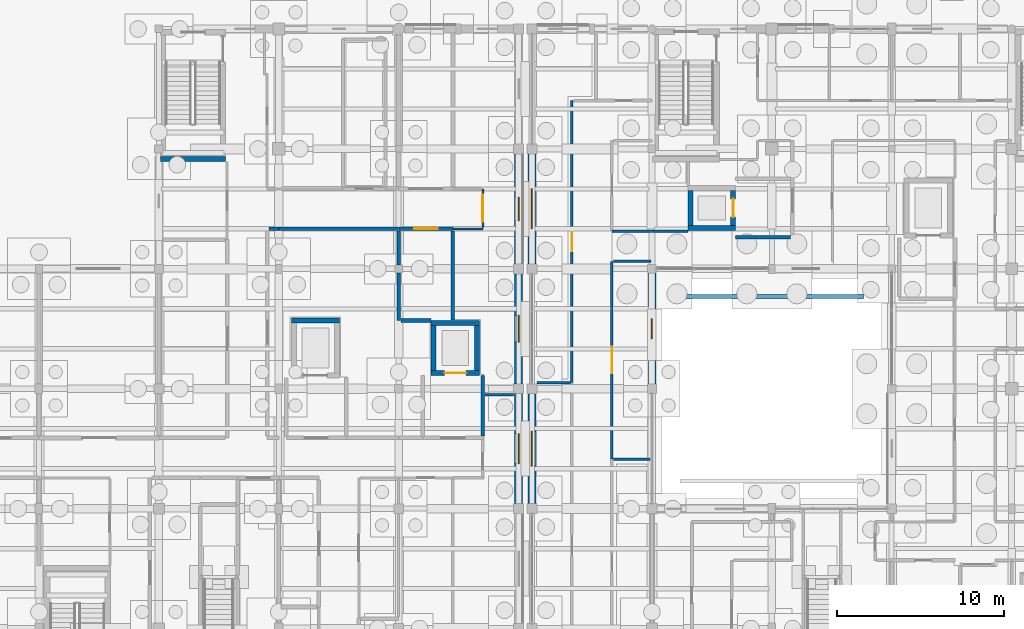
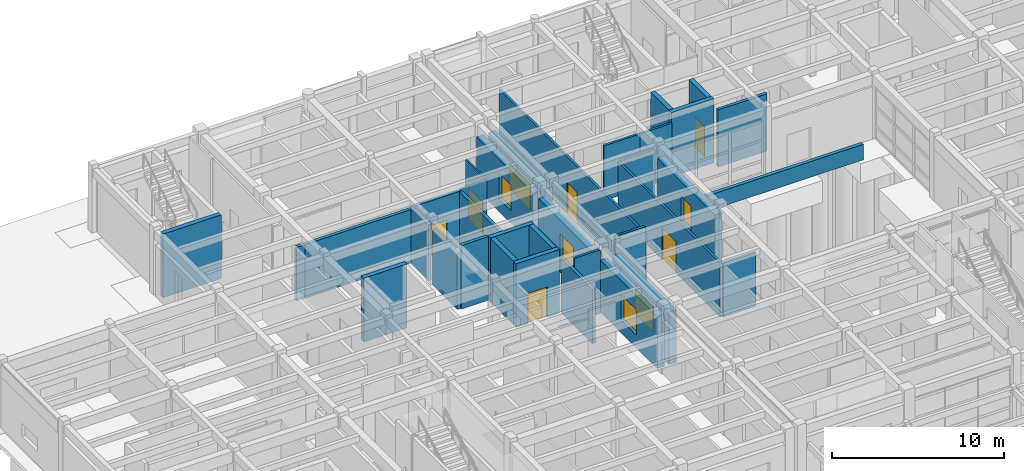
# One storey, part 108 of 143: 35 walls, 6 doors, 6 windows, 12 openings.
"""IFC4 building model written with IfcOpenShell, lengths in metres."""

from ifc_helpers import new_model, si_unit, direction, frame, frame_2d, origin, place, context, subcontext, project, spatial, rectangle, extrude, material, layer, layer_set, type_object, element, fill, save


model = new_model("IFC4")

# Units and contexts
model_context = context("Model", 3, precision=1e-05, world=origin(), true_north=direction((0.0, 1.0)))
body_context = subcontext(model_context, "Body", "Model", "MODEL_VIEW")
ifc_project = project(units=[si_unit("LENGTHUNIT", "METRE"), si_unit("AREAUNIT", "SQUARE_METRE"), si_unit("VOLUMEUNIT", "CUBIC_METRE"), si_unit("PLANEANGLEUNIT", "RADIAN"), si_unit("MASSUNIT", "GRAM", prefix="KILO")], contexts=[model_context])

# Site, building, storey
site_placement = place(None, origin())
site = spatial("IfcSite", under=ifc_project, at=site_placement, CompositionType="ELEMENT")
building_placement = place(site_placement, origin())
building = spatial("IfcBuilding", under=site, at=building_placement, Name="Steenspoor Specialist Clinic", CompositionType="ELEMENT")
storey_placement = place(building_placement, origin())
storey = spatial("IfcBuildingStorey", under=building, at=storey_placement, Name="L00", CompositionType="ELEMENT", Elevation=0.0)

# Wall, opening, window
ifc_material_1 = material(Name="Volcanic basalt ashlar masonry", Category="masonry")
ifc_layer_1 = layer(ifc_material_1, 0.47998046875)
ifc_layer_set_1 = layer_set([ifc_layer_1], Name="Volcanic basalt ashlar masonry")
wall_type_1 = type_object("IfcWallType", Name="W-BASALT-480", PredefinedType="SOLIDWALL", material=ifc_layer_set_1)
wall_1_placement = place(storey_placement, frame((52.39990234375, 79.85009765625, 0.0), z_axis=(0.0, 0.0, 1.0), x_axis=(0.0, 1.0, 0.0)))
wall_1 = element("IfcWall", 1, at=wall_1_placement, inside=storey, type_object=wall_type_1, Name="Exterior Brick Wall EW-V4-L00-0085", PredefinedType="SOLIDWALL", context=body_context, shape_type="SweptSolid", body=[
    extrude(rectangle(XDim=6.599853515625, YDim=0.47998046875, at=frame_2d((3.2998046875, 0.0))), origin(), (0.0, 0.0, 1.0), 3.72998046875),
])
opening_1_placement = place(wall_1_placement, frame((2.25, 0.0, 0.89990234375)))
opening_1 = element("IfcOpeningElement", 2, at=opening_1_placement, cuts=wall_1, Name="Opening WN-09", PredefinedType="OPENING", context=body_context, shape_type="SweptSolid", body=[
    extrude(rectangle(XDim=2.10009765625, YDim=1.800048828125, at=frame_2d((1.050048828125, 0.89990234375))), frame((0.0, 0.25, 0.0), z_axis=(0.0, -1.0, 0.0), x_axis=(1.0, 0.0, 0.0)), (0.0, 0.0, 1.0), 0.5),
])
ifc_material_2 = material(Name="Thermally broken aluminium and low-emissivity glass", Category="aluminium")
window_type_1 = type_object("IfcWindowType", Name="WN-EXT-210X180", PartitioningType="SINGLE_PANEL", PredefinedType="WINDOW", material=ifc_material_2)
window_1_placement = place(opening_1_placement, origin())
window_1 = element("IfcWindow", 3, at=window_1_placement, inside=storey, type_object=window_type_1, Name="Window 0105", OverallHeight=1.800048828125, OverallWidth=2.10009765625, PartitioningType="SINGLE_PANEL", PredefinedType="WINDOW", context=body_context, shape_type="SweptSolid", body=[
    extrude(rectangle(XDim=2.10009765625, YDim=1.800048828125, at=frame_2d((1.050048828125, 0.89990234375))), frame((0.0, 0.030029296875, 0.0), z_axis=(0.0, -1.0, 0.0), x_axis=(1.0, 0.0, 0.0)), (0.0, 0.0, 1.0), 0.06005859375),
])
fill(opening_1, window_1)

wall_2_placement = place(storey_placement, frame((52.39990234375, 94.25, 0.0), z_axis=(0.0, 0.0, 1.0), x_axis=(0.0, 1.0, 0.0)))
wall_2 = element("IfcWall", 4, at=wall_2_placement, inside=storey, type_object=wall_type_1, Name="Exterior Brick Wall EW-V4-L00-0086", PredefinedType="SOLIDWALL", context=body_context, shape_type="SweptSolid", body=[
    extrude(rectangle(XDim=6.60009765625, YDim=0.47998046875, at=frame_2d((3.300048828125, 0.0))), origin(), (0.0, 0.0, 1.0), 3.72998046875),
])
opening_2_placement = place(wall_2_placement, frame((2.10009765625, 0.0, 0.89990234375)))
opening_2 = element("IfcOpeningElement", 5, at=opening_2_placement, cuts=wall_2, Name="Opening WN-10", PredefinedType="OPENING", context=body_context, shape_type="SweptSolid", body=[
    extrude(rectangle(XDim=2.39990234375, YDim=1.800048828125, at=frame_2d((1.199951171875, 0.89990234375))), frame((0.0, 0.25, 0.0), z_axis=(0.0, -1.0, 0.0), x_axis=(1.0, 0.0, 0.0)), (0.0, 0.0, 1.0), 0.5),
])
window_type_2 = type_object("IfcWindowType", Name="WN-EXT-240X180", PartitioningType="SINGLE_PANEL", PredefinedType="WINDOW", material=ifc_material_2)
window_2_placement = place(opening_2_placement, origin())
window_2 = element("IfcWindow", 6, at=window_2_placement, inside=storey, type_object=window_type_2, Name="Window 0106", OverallHeight=1.800048828125, OverallWidth=2.39990234375, PartitioningType="SINGLE_PANEL", PredefinedType="WINDOW", context=body_context, shape_type="SweptSolid", body=[
    extrude(rectangle(XDim=2.39990234375, YDim=1.800048828125, at=frame_2d((1.199951171875, 0.89990234375))), frame((0.0, 0.030029296875, 0.0), z_axis=(0.0, -1.0, 0.0), x_axis=(1.0, 0.0, 0.0)), (0.0, 0.0, 1.0), 0.06005859375),
])
fill(opening_2, window_2)

wall_3_placement = place(storey_placement, frame((59.60009765625, 93.699951171875, 0.0), z_axis=(0.0, 0.0, 1.0), x_axis=(0.0, -1.0, 0.0)))
wall_3 = element("IfcWall", 7, at=wall_3_placement, inside=storey, type_object=wall_type_1, Name="Exterior Brick Wall EW-V4-L00-0104", PredefinedType="SOLIDWALL", context=body_context, shape_type="SweptSolid", body=[
    extrude(rectangle(XDim=6.675048828125, YDim=0.47998046875, at=frame_2d((3.33740234375, 0.0))), origin(), (0.0, 0.0, 1.0), 3.72998046875),
])
opening_3_placement = place(wall_3_placement, frame((2.737548828125, 0.0, 0.89990234375)))
opening_3 = element("IfcOpeningElement", 8, at=opening_3_placement, cuts=wall_3, Name="Opening WN-05", PredefinedType="OPENING", context=body_context, shape_type="SweptSolid", body=[
    extrude(rectangle(XDim=1.199951171875, YDim=1.800048828125, at=frame_2d((0.60009765625, 0.89990234375))), frame((0.0, 0.25, 0.0), z_axis=(0.0, -1.0, 0.0), x_axis=(1.0, 0.0, 0.0)), (0.0, 0.0, 1.0), 0.5),
])
window_type_3 = type_object("IfcWindowType", Name="WN-EXT-120X180", PartitioningType="SINGLE_PANEL", PredefinedType="WINDOW", material=ifc_material_2)
window_3_placement = place(opening_3_placement, origin())
window_3 = element("IfcWindow", 9, at=window_3_placement, inside=storey, type_object=window_type_3, Name="Window 0125", OverallHeight=1.800048828125, OverallWidth=1.199951171875, PartitioningType="SINGLE_PANEL", PredefinedType="WINDOW", context=body_context, shape_type="SweptSolid", body=[
    extrude(rectangle(XDim=1.199951171875, YDim=1.800048828125, at=frame_2d((0.60009765625, 0.89990234375))), frame((0.0, 0.030029296875, 0.0), z_axis=(0.0, -1.0, 0.0), x_axis=(1.0, 0.0, 0.0)), (0.0, 0.0, 1.0), 0.06005859375),
])
fill(opening_3, window_3)

wall_4_placement = place(storey_placement, frame((51.60009765625, 100.85009765625, 0.0), z_axis=(0.0, 0.0, 1.0), x_axis=(0.0, -1.0, 0.0)))
wall_4 = element("IfcWall", 10, at=wall_4_placement, inside=storey, type_object=wall_type_1, Name="Exterior Brick Wall EW-V5-L00-0249", PredefinedType="SOLIDWALL", context=body_context, shape_type="SweptSolid", body=[
    extrude(rectangle(XDim=6.60009765625, YDim=0.47998046875, at=frame_2d((3.300048828125, 0.0))), origin(), (0.0, 0.0, 1.0), 3.699951171875),
])
opening_4_placement = place(wall_4_placement, frame((2.60009765625, 0.0, 0.89990234375)))
opening_4 = element("IfcOpeningElement", 11, at=opening_4_placement, cuts=wall_4, Name="Opening WN-06", PredefinedType="OPENING", context=body_context, shape_type="SweptSolid", body=[
    extrude(rectangle(XDim=1.39990234375, YDim=1.800048828125, at=frame_2d((0.699951171875, 0.89990234375))), frame((0.0, 0.25, 0.0), z_axis=(0.0, -1.0, 0.0), x_axis=(1.0, 0.0, 0.0)), (0.0, 0.0, 1.0), 0.5),
])
window_type_4 = type_object("IfcWindowType", Name="WN-EXT-140X180", PartitioningType="SINGLE_PANEL", PredefinedType="WINDOW", material=ifc_material_2)
window_4_placement = place(opening_4_placement, origin())
window_4 = element("IfcWindow", 12, at=window_4_placement, inside=storey, type_object=window_type_4, Name="Window 0270", OverallHeight=1.800048828125, OverallWidth=1.39990234375, PartitioningType="SINGLE_PANEL", PredefinedType="WINDOW", context=body_context, shape_type="SweptSolid", body=[
    extrude(rectangle(XDim=1.39990234375, YDim=1.800048828125, at=frame_2d((0.699951171875, 0.89990234375))), frame((0.0, 0.030029296875, 0.0), z_axis=(0.0, -1.0, 0.0), x_axis=(1.0, 0.0, 0.0)), (0.0, 0.0, 1.0), 0.06005859375),
])
fill(opening_4, window_4)

wall_5_placement = place(storey_placement, frame((51.60009765625, 93.64990234375, 0.0), z_axis=(0.0, 0.0, 1.0), x_axis=(0.0, -1.0, 0.0)))
wall_5 = element("IfcWall", 13, at=wall_5_placement, inside=storey, type_object=wall_type_1, Name="Exterior Brick Wall EW-V5-L00-0250", PredefinedType="SOLIDWALL", context=body_context, shape_type="SweptSolid", body=[
    extrude(rectangle(XDim=6.599853515625, YDim=0.47998046875, at=frame_2d((3.2998046875, 0.0))), origin(), (0.0, 0.0, 1.0), 3.699951171875),
])
opening_5_placement = place(wall_5_placement, frame((2.5, 0.0, 0.89990234375)))
opening_5 = element("IfcOpeningElement", 14, at=opening_5_placement, cuts=wall_5, Name="Opening WN-07", PredefinedType="OPENING", context=body_context, shape_type="SweptSolid", body=[
    extrude(rectangle(XDim=1.60009765625, YDim=1.800048828125, at=frame_2d((0.800048828125, 0.89990234375))), frame((0.0, 0.25, 0.0), z_axis=(0.0, -1.0, 0.0), x_axis=(1.0, 0.0, 0.0)), (0.0, 0.0, 1.0), 0.5),
])
window_type_5 = type_object("IfcWindowType", Name="WN-EXT-160X180", PartitioningType="SINGLE_PANEL", PredefinedType="WINDOW", material=ifc_material_2)
window_5_placement = place(opening_5_placement, origin())
window_5 = element("IfcWindow", 15, at=window_5_placement, inside=storey, type_object=window_type_5, Name="Window 0271", OverallHeight=1.800048828125, OverallWidth=1.60009765625, PartitioningType="SINGLE_PANEL", PredefinedType="WINDOW", context=body_context, shape_type="SweptSolid", body=[
    extrude(rectangle(XDim=1.60009765625, YDim=1.800048828125, at=frame_2d((0.800048828125, 0.89990234375))), frame((0.0, 0.030029296875, 0.0), z_axis=(0.0, -1.0, 0.0), x_axis=(1.0, 0.0, 0.0)), (0.0, 0.0, 1.0), 0.06005859375),
])
fill(opening_5, window_5)

wall_6_placement = place(storey_placement, frame((51.60009765625, 86.449951171875, 0.0), z_axis=(0.0, 0.0, 1.0), x_axis=(0.0, -1.0, 0.0)))
wall_6 = element("IfcWall", 16, at=wall_6_placement, inside=storey, type_object=wall_type_1, Name="Exterior Brick Wall EW-V5-L00-0251", PredefinedType="SOLIDWALL", context=body_context, shape_type="SweptSolid", body=[
    extrude(rectangle(XDim=6.599853515625, YDim=0.47998046875, at=frame_2d((3.2998046875, 0.0))), origin(), (0.0, 0.0, 1.0), 3.699951171875),
])
opening_6_placement = place(wall_6_placement, frame((2.39990234375, 0.0, 0.89990234375)))
opening_6 = element("IfcOpeningElement", 17, at=opening_6_placement, cuts=wall_6, Name="Opening WN-08", PredefinedType="OPENING", context=body_context, shape_type="SweptSolid", body=[
    extrude(rectangle(XDim=1.800048828125, YDim=1.800048828125, at=frame_2d((0.89990234375, 0.89990234375))), frame((0.0, 0.25, 0.0), z_axis=(0.0, -1.0, 0.0), x_axis=(1.0, 0.0, 0.0)), (0.0, 0.0, 1.0), 0.5),
])
window_type_6 = type_object("IfcWindowType", Name="WN-EXT-180X180", PartitioningType="SINGLE_PANEL", PredefinedType="WINDOW", material=ifc_material_2)
window_6_placement = place(opening_6_placement, origin())
window_6 = element("IfcWindow", 18, at=window_6_placement, inside=storey, type_object=window_type_6, Name="Window 0272", OverallHeight=1.800048828125, OverallWidth=1.800048828125, PartitioningType="SINGLE_PANEL", PredefinedType="WINDOW", context=body_context, shape_type="SweptSolid", body=[
    extrude(rectangle(XDim=1.800048828125, YDim=1.800048828125, at=frame_2d((0.89990234375, 0.89990234375))), frame((0.0, 0.030029296875, 0.0), z_axis=(0.0, -1.0, 0.0), x_axis=(1.0, 0.0, 0.0)), (0.0, 0.0, 1.0), 0.06005859375),
])
fill(opening_6, window_6)

# Wall, opening, door
ifc_material_3 = material(Name="Gypsum acoustic clinical partition", Category="gypsum")
ifc_layer_2 = layer(ifc_material_3, 0.14990234375)
ifc_layer_set_2 = layer_set([ifc_layer_2], Name="Gypsum acoustic clinical partition")
wall_type_2 = type_object("IfcWallType", Name="W-CLIN-150", PredefinedType="PARTITIONING", material=ifc_layer_set_2)
wall_7_placement = place(storey_placement, frame((57.199951171875, 82.5400390625, 0.0), z_axis=(0.0, 0.0, 1.0), x_axis=(0.0, 1.0, 0.0)))
wall_7 = element("IfcWall", 19, at=wall_7_placement, inside=storey, type_object=wall_type_2, Name="Interior Partition IW-V4-L00-0246", PredefinedType="PARTITIONING", context=body_context, shape_type="SweptSolid", body=[
    extrude(rectangle(XDim=11.85986328125, YDim=0.14990234375, at=frame_2d((5.929931640625, 0.0))), origin(), (0.0, 0.0, 1.0), 3.8349609375),
])
opening_7_placement = place(wall_7_placement, frame((5.1298828125, 0.0, 0.0)))
opening_7 = element("IfcOpeningElement", 20, at=opening_7_placement, cuts=wall_7, Name="Opening D0169", PredefinedType="OPENING", context=body_context, shape_type="SweptSolid", body=[
    extrude(rectangle(XDim=1.60009765625, YDim=2.25, at=frame_2d((0.800048828125, 1.125))), frame((0.0, 0.0849609375, 0.0), z_axis=(0.0, -1.0, 0.0), x_axis=(1.0, 0.0, 0.0)), (0.0, 0.0, 1.0), 0.169921875),
])
ifc_material_4 = material(Name="Hygienic HPL clinical timber door", Category="wood")
door_type_1 = type_object("IfcDoorType", Name="DT-PROC-160X225", OperationType="NOTDEFINED", PredefinedType="DOOR", material=ifc_material_4)
door_1_placement = place(opening_7_placement, origin())
door_1 = element("IfcDoor", 21, at=door_1_placement, inside=storey, type_object=door_type_1, Name="Clinical Door D0169", OperationType="SINGLE_SWING_RIGHT", OverallHeight=2.25, OverallWidth=1.60009765625, PredefinedType="DOOR", context=body_context, shape_type="SweptSolid", body=[
    extrude(rectangle(XDim=1.60009765625, YDim=2.25, at=frame_2d((0.800048828125, 1.125))), frame((0.0, 0.02490234375, 0.0), z_axis=(0.0, -1.0, 0.0), x_axis=(1.0, 0.0, 0.0)), (0.0, 0.0, 1.0), 0.050048828125),
])
fill(opening_7, door_1)

# Wall
wall_8_placement = place(storey_placement, frame((57.2900390625, 94.39990234375, 0.0), z_axis=(0.0, 0.0, 1.0), x_axis=(1.0, 0.0, 0.0)))
element("IfcWall", 22, at=wall_8_placement, inside=storey, type_object=wall_type_2, Name="Interior Partition IW-V4-L00-0247", PredefinedType="PARTITIONING", context=body_context, shape_type="SweptSolid", body=[
    extrude(rectangle(XDim=2.27001953125, YDim=0.14990234375, at=frame_2d((1.135009765625, 0.0))), origin(), (0.0, 0.0, 1.0), 3.885009765625),
])

# Wall, opening, door
wall_9_placement = place(storey_placement, frame((54.800048828125, 87.114990234375, 0.0), z_axis=(0.0, 0.0, 1.0), x_axis=(0.0, 1.0, 0.0)))
wall_9 = element("IfcWall", 23, at=wall_9_placement, inside=storey, type_object=wall_type_2, Name="Interior Partition IW-V4-L00-0248", PredefinedType="PARTITIONING", context=body_context, shape_type="SweptSolid", body=[
    extrude(rectangle(XDim=16.93505859375, YDim=0.14990234375, at=frame_2d((8.467529296875, 0.0))), origin(), (0.0, 0.0, 1.0), 3.955078125),
])
opening_8_placement = place(wall_9_placement, frame((7.892578125, 0.0, 0.0)))
opening_8 = element("IfcOpeningElement", 24, at=opening_8_placement, cuts=wall_9, Name="Opening D0171", PredefinedType="OPENING", context=body_context, shape_type="SweptSolid", body=[
    extrude(rectangle(XDim=1.14990234375, YDim=2.14990234375, at=frame_2d((0.574951171875, 1.074951171875))), frame((0.0, 0.0849609375, 0.0), z_axis=(0.0, -1.0, 0.0), x_axis=(1.0, 0.0, 0.0)), (0.0, 0.0, 1.0), 0.169921875),
])
ifc_material_5 = material(Name="Solid-core hardwood clinical door", Category="wood")
door_type_2 = type_object("IfcDoorType", Name="DT-CONS-115X215", OperationType="NOTDEFINED", PredefinedType="DOOR", material=ifc_material_5)
door_2_placement = place(opening_8_placement, origin())
door_2 = element("IfcDoor", 25, at=door_2_placement, inside=storey, type_object=door_type_2, Name="Clinical Door D0171", OperationType="SINGLE_SWING_RIGHT", OverallHeight=2.14990234375, OverallWidth=1.14990234375, PredefinedType="DOOR", context=body_context, shape_type="SweptSolid", body=[
    extrude(rectangle(XDim=1.14990234375, YDim=2.14990234375, at=frame_2d((0.574951171875, 1.074951171875))), frame((0.0, 0.02490234375, 0.0), z_axis=(0.0, -1.0, 0.0), x_axis=(1.0, 0.0, 0.0)), (0.0, 0.0, 1.0), 0.050048828125),
])
fill(opening_8, door_2)

# Walls
wall_10_placement = place(storey_placement, frame((59.60009765625, 96.199951171875, 0.0), z_axis=(0.0, 0.0, 1.0), x_axis=(1.0, 0.0, 0.0)))
element("IfcWall", 26, at=wall_10_placement, inside=storey, type_object=wall_type_2, Name="Interior Partition IW-V4-L00-0263", PredefinedType="PARTITIONING", context=body_context, shape_type="SweptSolid", body=[
    extrude(rectangle(XDim=2.159912109375, YDim=0.14990234375, at=frame_2d((1.080078125, 0.0))), origin(), (0.0, 0.0, 1.0), 3.885009765625),
])
wall_11_placement = place(storey_placement, frame((57.199951171875, 96.199951171875, 0.0), z_axis=(0.0, 0.0, 1.0), x_axis=(1.0, 0.0, 0.0)))
element("IfcWall", 27, at=wall_11_placement, inside=storey, type_object=wall_type_2, Name="Interior Partition IW-V4-L00-0264", PredefinedType="PARTITIONING", context=body_context, shape_type="SweptSolid", body=[
    extrude(rectangle(XDim=2.385009765625, YDim=0.14990234375, at=frame_2d((1.1923828125, 0.0))), origin(), (0.0, 0.0, 1.0), 3.885009765625),
])
wall_12_placement = place(storey_placement, frame((52.715087890625, 87.10009765625, 0.0), z_axis=(0.0, 0.0, 1.0), x_axis=(1.0, 0.0, 0.0)))
element("IfcWall", 28, at=wall_12_placement, inside=storey, type_object=wall_type_2, Name="Interior Partition IW-V4-L00-0598", PredefinedType="PARTITIONING", context=body_context, shape_type="SweptSolid", body=[
    extrude(rectangle(XDim=1.994873046875, YDim=0.14990234375, at=frame_2d((0.99755859375, 0.0))), origin(), (0.0, 0.0, 1.0), 4.550048828125),
])
wall_13_placement = place(storey_placement, frame((57.2900390625, 82.52490234375, 0.0), z_axis=(0.0, 0.0, 1.0), x_axis=(1.0, 0.0, 0.0)))
element("IfcWall", 29, at=wall_13_placement, inside=storey, type_object=wall_type_2, Name="Interior Partition IW-V4-L00-0617", PredefinedType="PARTITIONING", context=body_context, shape_type="SweptSolid", body=[
    extrude(rectangle(XDim=2.205078125, YDim=0.14990234375, at=frame_2d((1.1025390625, 0.0))), origin(), (0.0, 0.0, 1.0), 3.81494140625),
])
wall_14_placement = place(storey_placement, frame((49.56494140625, 86.39990234375, 0.0), z_axis=(0.0, 0.0, 1.0), x_axis=(1.0, 0.0, 0.0)))
element("IfcWall", 30, at=wall_14_placement, inside=storey, type_object=wall_type_2, Name="Interior Partition IW-V5-L00-0633", PredefinedType="PARTITIONING", context=body_context, shape_type="SweptSolid", body=[
    extrude(rectangle(XDim=1.719970703125, YDim=0.14990234375, at=frame_2d((0.85986328125, 0.0))), origin(), (0.0, 0.0, 1.0), 4.52001953125),
])
ifc_material_6 = material(Name="Fire-rated clay blockwork masonry", Category="masonry")
ifc_layer_3 = layer(ifc_material_6, 0.219970703125)
ifc_layer_set_3 = layer_set([ifc_layer_3], Name="Fire-rated clay blockwork masonry")
wall_type_3 = type_object("IfcWallType", Name="W-FIRE-220", PredefinedType="PARTITIONING", material=ifc_layer_set_3)
wall_15_placement = place(storey_placement, frame((36.625, 96.35009765625, 0.0), z_axis=(0.0, 0.0, 1.0), x_axis=(1.0, 0.0, 0.0)))
element("IfcWall", 31, at=wall_15_placement, inside=storey, type_object=wall_type_3, Name="Interior Partition IW-V5-L00-0087", PredefinedType="PARTITIONING", context=body_context, shape_type="SweptSolid", body=[
    extrude(rectangle(XDim=0.574951171875, YDim=0.219970703125, at=frame_2d((0.28759765625, 0.0))), origin(), (0.0, 0.0, 1.0), 3.804931640625),
])
wall_16_placement = place(storey_placement, frame((37.215087890625, 96.35009765625, 0.0), z_axis=(0.0, 0.0, 1.0), x_axis=(1.0, 0.0, 0.0)))
element("IfcWall", 32, at=wall_16_placement, inside=storey, type_object=wall_type_3, Name="Interior Partition IW-V5-L00-0088", PredefinedType="PARTITIONING", context=body_context, shape_type="SweptSolid", body=[
    extrude(rectangle(XDim=7.184814453125, YDim=0.219970703125, at=frame_2d((3.59228515625, 0.0))), origin(), (0.0, 0.0, 1.0), 3.804931640625),
])

# Wall, opening, door
wall_17_placement = place(storey_placement, frame((44.4150390625, 96.35009765625, 0.0), z_axis=(0.0, 0.0, 1.0), x_axis=(1.0, 0.0, 0.0)))
wall_17 = element("IfcWall", 33, at=wall_17_placement, inside=storey, type_object=wall_type_3, Name="Interior Partition IW-V5-L00-0090", PredefinedType="PARTITIONING", context=body_context, shape_type="SweptSolid", body=[
    extrude(rectangle(XDim=3.23486328125, YDim=0.219970703125, at=frame_2d((1.617431640625, 0.0))), origin(), (0.0, 0.0, 1.0), 3.955078125),
])
opening_9_placement = place(wall_17_placement, frame((0.91748046875, 0.0, 0.0)))
opening_9 = element("IfcOpeningElement", 34, at=opening_9_placement, cuts=wall_17, Name="Opening D0338", PredefinedType="OPENING", context=body_context, shape_type="SweptSolid", body=[
    extrude(rectangle(XDim=1.39990234375, YDim=2.199951171875, at=frame_2d((0.699951171875, 1.10009765625))), frame((0.0, 0.1201171875, 0.0), z_axis=(0.0, -1.0, 0.0), x_axis=(1.0, 0.0, 0.0)), (0.0, 0.0, 1.0), 0.239990234375),
])
ifc_material_7 = material(Name="Fire-rated clinical laminate door", Category="steel")
door_type_3 = type_object("IfcDoorType", Name="DT-LAB-140X220", OperationType="NOTDEFINED", PredefinedType="DOOR", material=ifc_material_7)
door_3_placement = place(opening_9_placement, origin())
door_3 = element("IfcDoor", 35, at=door_3_placement, inside=storey, type_object=door_type_3, Name="Clinical Door D0338", OperationType="SINGLE_SWING_LEFT", OverallHeight=2.199951171875, OverallWidth=1.39990234375, PredefinedType="DOOR", context=body_context, shape_type="SweptSolid", body=[
    extrude(rectangle(XDim=1.39990234375, YDim=2.199951171875, at=frame_2d((0.699951171875, 1.10009765625))), frame((0.0, 0.02490234375, 0.0), z_axis=(0.0, -1.0, 0.0), x_axis=(1.0, 0.0, 0.0)), (0.0, 0.0, 1.0), 0.050048828125),
])
fill(opening_9, door_3)

# Walls
wall_18_placement = place(storey_placement, frame((44.39990234375, 90.85009765625, 0.0), z_axis=(0.0, 0.0, 1.0), x_axis=(0.0, 1.0, 0.0)))
element("IfcWall", 36, at=wall_18_placement, inside=storey, type_object=wall_type_3, Name="Interior Partition IW-V5-L00-0454", PredefinedType="PARTITIONING", context=body_context, shape_type="SweptSolid", body=[
    extrude(rectangle(XDim=2.85986328125, YDim=0.219970703125, at=frame_2d((1.429931640625, 0.0))), origin(), (0.0, 0.0, 1.0), 3.925048828125),
])
wall_19_placement = place(storey_placement, frame((44.39990234375, 94.18994140625, 0.0), z_axis=(0.0, 0.0, 1.0), x_axis=(0.0, 1.0, 0.0)))
element("IfcWall", 37, at=wall_19_placement, inside=storey, type_object=wall_type_3, Name="Interior Partition IW-V5-L00-0455", PredefinedType="PARTITIONING", context=body_context, shape_type="SweptSolid", body=[
    extrude(rectangle(XDim=2.03515625, YDim=0.219970703125, at=frame_2d((1.017578125, 0.0))), origin(), (0.0, 0.0, 1.0), 3.955078125),
])
wall_20_placement = place(storey_placement, frame((44.52490234375, 90.85009765625, 0.0), z_axis=(0.0, 0.0, 1.0), x_axis=(1.0, 0.0, 0.0)))
element("IfcWall", 38, at=wall_20_placement, inside=storey, type_object=wall_type_3, Name="Interior Partition IW-V5-L00-0456", PredefinedType="PARTITIONING", context=body_context, shape_type="SweptSolid", body=[
    extrude(rectangle(XDim=1.81005859375, YDim=0.219970703125, at=frame_2d((0.905029296875, 0.0))), origin(), (0.0, 0.0, 1.0), 4.52001953125),
])
wall_21_placement = place(storey_placement, frame((47.64990234375, 90.864990234375, 0.0), z_axis=(0.0, 0.0, 1.0), x_axis=(0.0, 1.0, 0.0)))
element("IfcWall", 39, at=wall_21_placement, inside=storey, type_object=wall_type_3, Name="Interior Partition IW-V5-L00-0457", PredefinedType="PARTITIONING", context=body_context, shape_type="SweptSolid", body=[
    extrude(rectangle(XDim=5.360107421875, YDim=0.219970703125, at=frame_2d((2.68017578125, 0.0))), origin(), (0.0, 0.0, 1.0), 3.955078125),
])
ifc_material_8 = material(Name="Extruded clay brick masonry", Category="masonry")
ifc_layer_4 = layer(ifc_material_8, 0.239990234375)
ifc_layer_set_4 = layer_set([ifc_layer_4], Name="Extruded clay brick masonry")
wall_type_4 = type_object("IfcWallType", Name="W-PARAPET-240", PredefinedType="PARAPET", material=ifc_layer_set_4)
wall_22_placement = place(storey_placement, frame((61.300048828125, 92.300048828125, 0.0), z_axis=(0.0, 0.0, 1.0), x_axis=(1.0, 0.0, 0.0)))
element("IfcWall", 40, at=wall_22_placement, inside=storey, type_object=wall_type_4, Name="Courtyard Planter Parapet PW-GARDEN-02", PredefinedType="PARAPET", context=body_context, shape_type="SweptSolid", body=[
    extrude(rectangle(XDim=11.0, YDim=0.239990234375, at=frame_2d((5.5, 0.0))), origin(), (0.0, 0.0, 1.0), 1.10009765625),
])
ifc_material_9 = material(Name="Gypsum studio partition board", Category="gypsum")
ifc_layer_5 = layer(ifc_material_9, 0.1201171875)
ifc_layer_set_5 = layer_set([ifc_layer_5], Name="Gypsum studio partition board")
wall_type_5 = type_object("IfcWallType", Name="W-PART-120", PredefinedType="PARTITIONING", material=ifc_layer_set_5)
wall_23_placement = place(storey_placement, frame((47.6650390625, 96.35009765625, 0.0), z_axis=(0.0, 0.0, 1.0), x_axis=(1.0, 0.0, 0.0)))
element("IfcWall", 41, at=wall_23_placement, inside=storey, type_object=wall_type_5, Name="Interior Partition IW-V5-L00-0370", PredefinedType="PARTITIONING", context=body_context, shape_type="SweptSolid", body=[
    extrude(rectangle(XDim=1.784912109375, YDim=0.1201171875, at=frame_2d((0.892578125, 0.0))), origin(), (0.0, 0.0, 1.0), 4.044921875),
])

# Wall, opening, door
wall_24_placement = place(storey_placement, frame((49.449951171875, 96.425048828125, 0.0), z_axis=(0.0, 0.0, 1.0), x_axis=(0.0, 1.0, 0.0)))
wall_24 = element("IfcWall", 42, at=wall_24_placement, inside=storey, type_object=wall_type_5, Name="Interior Partition IW-V5-L00-0371", PredefinedType="PARTITIONING", context=body_context, shape_type="SweptSolid", body=[
    extrude(rectangle(XDim=2.324951171875, YDim=0.1201171875, at=frame_2d((1.16259765625, 0.0))), origin(), (0.0, 0.0, 1.0), 4.0849609375),
])
opening_10_placement = place(wall_24_placement, frame((0.362548828125, 0.0, 0.0)))
opening_10 = element("IfcOpeningElement", 43, at=opening_10_placement, cuts=wall_24, Name="Opening D0337", PredefinedType="OPENING", context=body_context, shape_type="SweptSolid", body=[
    extrude(rectangle(XDim=1.60009765625, YDim=2.25, at=frame_2d((0.800048828125, 1.125))), frame((0.0, 0.070068359375, 0.0), z_axis=(0.0, -1.0, 0.0), x_axis=(1.0, 0.0, 0.0)), (0.0, 0.0, 1.0), 0.14013671875),
])
door_4_placement = place(opening_10_placement, origin())
door_4 = element("IfcDoor", 44, at=door_4_placement, inside=storey, type_object=door_type_1, Name="Clinical Door D0337", OperationType="SINGLE_SWING_RIGHT", OverallHeight=2.25, OverallWidth=1.60009765625, PredefinedType="DOOR", context=body_context, shape_type="SweptSolid", body=[
    extrude(rectangle(XDim=1.60009765625, YDim=2.25, at=frame_2d((0.800048828125, 1.125))), frame((0.0, 0.02490234375, 0.0), z_axis=(0.0, -1.0, 0.0), x_axis=(1.0, 0.0, 0.0)), (0.0, 0.0, 1.0), 0.050048828125),
])
fill(opening_10, door_4)

# Walls
ifc_material_10 = material(Name="Gypsum acoustic smoke barrier board", Category="gypsum")
ifc_layer_6 = layer(ifc_material_10, 0.199951171875)
ifc_layer_set_6 = layer_set([ifc_layer_6], Name="Gypsum acoustic smoke barrier board")
wall_type_6 = type_object("IfcWallType", Name="W-SMOKE-200", PredefinedType="PARTITIONING", material=ifc_layer_set_6)
wall_25_placement = place(storey_placement, frame((64.625, 95.85009765625, 0.0), z_axis=(0.0, 0.0, 1.0), x_axis=(1.0, 0.0, 0.0)))
element("IfcWall", 45, at=wall_25_placement, inside=storey, type_object=wall_type_6, Name="Interior Partition IW-V4-L00-0007", PredefinedType="PARTITIONING", context=body_context, shape_type="SweptSolid", body=[
    extrude(rectangle(XDim=3.284912109375, YDim=0.199951171875, at=frame_2d((1.642578125, 0.0))), origin(), (0.0, 0.0, 1.0), 4.054931640625),
])
wall_26_placement = place(storey_placement, frame((49.449951171875, 83.9150390625, 0.0), z_axis=(0.0, 0.0, 1.0), x_axis=(0.0, 1.0, 0.0)))
element("IfcWall", 46, at=wall_26_placement, inside=storey, type_object=wall_type_6, Name="Interior Partition IW-V5-L00-0028", PredefinedType="PARTITIONING", context=body_context, shape_type="SweptSolid", body=[
    extrude(rectangle(XDim=3.635009765625, YDim=0.199951171875, at=frame_2d((1.8173828125, 0.0))), origin(), (0.0, 0.0, 1.0), 3.85498046875),
])
ifc_material_11 = material(Name="Concrete C40/50", Category="concrete")
ifc_layer_7 = layer(ifc_material_11, 0.300048828125)
ifc_layer_set_7 = layer_set([ifc_layer_7], Name="Concrete C40/50")
wall_type_7 = type_object("IfcWallType", Name="W-SW-300", PredefinedType="SHEAR", material=ifc_layer_set_7)
wall_27_placement = place(storey_placement, frame((30.10009765625, 100.550048828125, 0.0), z_axis=(0.0, 0.0, 1.0), x_axis=(1.0, 0.0, 0.0)))
element("IfcWall", 47, at=wall_27_placement, inside=storey, type_object=wall_type_7, Name="Core Shear Wall SW-ST-V5A-L00-S", PredefinedType="SHEAR", context=body_context, shape_type="SweptSolid", body=[
    extrude(rectangle(XDim=3.89990234375, YDim=0.300048828125, at=frame_2d((1.949951171875, 0.0))), origin(), (0.0, 0.0, 1.0), 4.52001953125),
])
wall_28_placement = place(storey_placement, frame((37.949951171875, 90.85009765625, 0.0), z_axis=(0.0, 0.0, 1.0), x_axis=(1.0, 0.0, 0.0)))
element("IfcWall", 48, at=wall_28_placement, inside=storey, type_object=wall_type_7, Name="Lift Shaft Shear Wall SW-EL-S2-L00-N", PredefinedType="SHEAR", context=body_context, shape_type="SweptSolid", body=[
    extrude(rectangle(XDim=2.900146484375, YDim=0.300048828125, at=frame_2d((1.4501953125, 0.0))), origin(), (0.0, 0.0, 1.0), 4.52001953125),
])
wall_29_placement = place(storey_placement, frame((61.77490234375, 96.39990234375, 0.0), z_axis=(0.0, 0.0, 1.0), x_axis=(1.0, 0.0, 0.0)))
element("IfcWall", 49, at=wall_29_placement, inside=storey, type_object=wall_type_7, Name="Lift Shaft Shear Wall SW-EL-P2-L00-S", PredefinedType="SHEAR", context=body_context, shape_type="SweptSolid", body=[
    extrude(rectangle(XDim=2.85009765625, YDim=0.300048828125, at=frame_2d((1.425048828125, 0.0))), origin(), (0.0, 0.0, 1.0), 4.550048828125),
])
wall_30_placement = place(storey_placement, frame((61.925048828125, 96.550048828125, 0.0), z_axis=(0.0, 0.0, 1.0), x_axis=(0.0, 1.0, 0.0)))
element("IfcWall", 50, at=wall_30_placement, inside=storey, type_object=wall_type_7, Name="Lift Shaft Shear Wall SW-EL-P2-L00-W", PredefinedType="SHEAR", context=body_context, shape_type="SweptSolid", body=[
    extrude(rectangle(XDim=2.099853515625, YDim=0.300048828125, at=frame_2d((1.0498046875, 0.0))), origin(), (0.0, 0.0, 1.0), 4.550048828125),
])

# Wall, opening, door
wall_31_placement = place(storey_placement, frame((64.47509765625, 96.550048828125, 0.0), z_axis=(0.0, 0.0, 1.0), x_axis=(0.0, 1.0, 0.0)))
wall_31 = element("IfcWall", 51, at=wall_31_placement, inside=storey, type_object=wall_type_7, Name="Lift Shaft Shear Wall SW-EL-P2-L00-E", PredefinedType="SHEAR", context=body_context, shape_type="SweptSolid", body=[
    extrude(rectangle(XDim=2.099853515625, YDim=0.300048828125, at=frame_2d((1.0498046875, 0.0))), origin(), (0.0, 0.0, 1.0), 4.550048828125),
])
opening_11_placement = place(wall_31_placement, frame((0.5, 0.0, 0.0)))
opening_11 = element("IfcOpeningElement", 52, at=opening_11_placement, cuts=wall_31, Name="Opening LD17", PredefinedType="OPENING", context=body_context, shape_type="SweptSolid", body=[
    extrude(rectangle(XDim=1.10009765625, YDim=2.14990234375, at=frame_2d((0.550048828125, 1.074951171875))), frame((0.0, 0.16015625, 0.0), z_axis=(0.0, -1.0, 0.0), x_axis=(1.0, 0.0, 0.0)), (0.0, 0.0, 1.0), 0.320068359375),
])
ifc_material_12 = material(Name="Stainless steel lift landing door", Category="steel")
door_type_4 = type_object("IfcDoorType", Name="DT-LIFT-P-110", OperationType="NOTDEFINED", PredefinedType="DOOR", material=ifc_material_12)
door_5_placement = place(opening_11_placement, origin())
door_5 = element("IfcDoor", 53, at=door_5_placement, inside=storey, type_object=door_type_4, Name="Lift Landing Door LD17", OperationType="SLIDING_TO_LEFT", OverallHeight=2.14990234375, OverallWidth=1.10009765625, PredefinedType="DOOR", context=body_context, shape_type="SweptSolid", body=[
    extrude(rectangle(XDim=1.10009765625, YDim=2.14990234375, at=frame_2d((0.550048828125, 1.074951171875))), frame((0.0, 0.02490234375, 0.0), z_axis=(0.0, -1.0, 0.0), x_axis=(1.0, 0.0, 0.0)), (0.0, 0.0, 1.0), 0.050048828125),
])
fill(opening_11, door_5)

wall_32_placement = place(storey_placement, frame((46.35009765625, 87.699951171875, 0.0), z_axis=(0.0, 0.0, 1.0), x_axis=(1.0, 0.0, 0.0)))
wall_32 = element("IfcWall", 54, at=wall_32_placement, inside=storey, type_object=wall_type_7, Name="Lift Shaft Shear Wall SW-EL-G1-L00-S", PredefinedType="SHEAR", context=body_context, shape_type="SweptSolid", body=[
    extrude(rectangle(XDim=2.89990234375, YDim=0.300048828125, at=frame_2d((1.449951171875, 0.0))), origin(), (0.0, 0.0, 1.0), 4.52001953125),
])
opening_12_placement = place(wall_32_placement, frame((0.800048828125, 0.0, 0.0)))
opening_12 = element("IfcOpeningElement", 55, at=opening_12_placement, cuts=wall_32, Name="Opening LD29", PredefinedType="OPENING", context=body_context, shape_type="SweptSolid", body=[
    extrude(rectangle(XDim=1.300048828125, YDim=2.14990234375, at=frame_2d((0.64990234375, 1.074951171875))), frame((0.0, 0.16015625, 0.0), z_axis=(0.0, -1.0, 0.0), x_axis=(1.0, 0.0, 0.0)), (0.0, 0.0, 1.0), 0.320068359375),
])
door_type_5 = type_object("IfcDoorType", Name="DT-LIFT-G-130", OperationType="NOTDEFINED", PredefinedType="DOOR", material=ifc_material_12)
door_6_placement = place(opening_12_placement, origin())
door_6 = element("IfcDoor", 56, at=door_6_placement, inside=storey, type_object=door_type_5, Name="Lift Landing Door LD29", OperationType="SLIDING_TO_LEFT", OverallHeight=2.14990234375, OverallWidth=1.300048828125, PredefinedType="DOOR", context=body_context, shape_type="SweptSolid", body=[
    extrude(rectangle(XDim=1.300048828125, YDim=2.14990234375, at=frame_2d((0.64990234375, 1.074951171875))), frame((0.0, 0.02490234375, 0.0), z_axis=(0.0, -1.0, 0.0), x_axis=(1.0, 0.0, 0.0)), (0.0, 0.0, 1.0), 0.050048828125),
])
fill(opening_12, door_6)

# Walls
wall_33_placement = place(storey_placement, frame((46.35009765625, 90.699951171875, 0.0), z_axis=(0.0, 0.0, 1.0), x_axis=(1.0, 0.0, 0.0)))
element("IfcWall", 57, at=wall_33_placement, inside=storey, type_object=wall_type_7, Name="Lift Shaft Shear Wall SW-EL-G1-L00-N", PredefinedType="SHEAR", context=body_context, shape_type="SweptSolid", body=[
    extrude(rectangle(XDim=2.89990234375, YDim=0.300048828125, at=frame_2d((1.449951171875, 0.0))), origin(), (0.0, 0.0, 1.0), 4.52001953125),
])
for number, where, z_axis, x_axis, name in (
    (58, (46.5, 87.85009765625, 0.0), (0.0, 0.0, 1.0), (0.0, 1.0, 0.0), "Lift Shaft Shear Wall SW-EL-G1-L00-W"),
    (59, (49.10009765625, 87.85009765625, 0.0), (0.0, 0.0, 1.0), (0.0, 1.0, 0.0), "Lift Shaft Shear Wall SW-EL-G1-L00-E"),
):
    element("IfcWall", number, at=place(storey_placement, frame(where, z_axis=z_axis, x_axis=x_axis)), inside=storey, type_object=wall_type_7, Name=name, PredefinedType="SHEAR", context=body_context, shape_type="SweptSolid", body=[
        extrude(rectangle(XDim=2.699951171875, YDim=0.300048828125, at=frame_2d((1.35009765625, 0.0))), origin(), (0.0, 0.0, 1.0), 4.52001953125),
    ])

save(model, "model.ifc")
